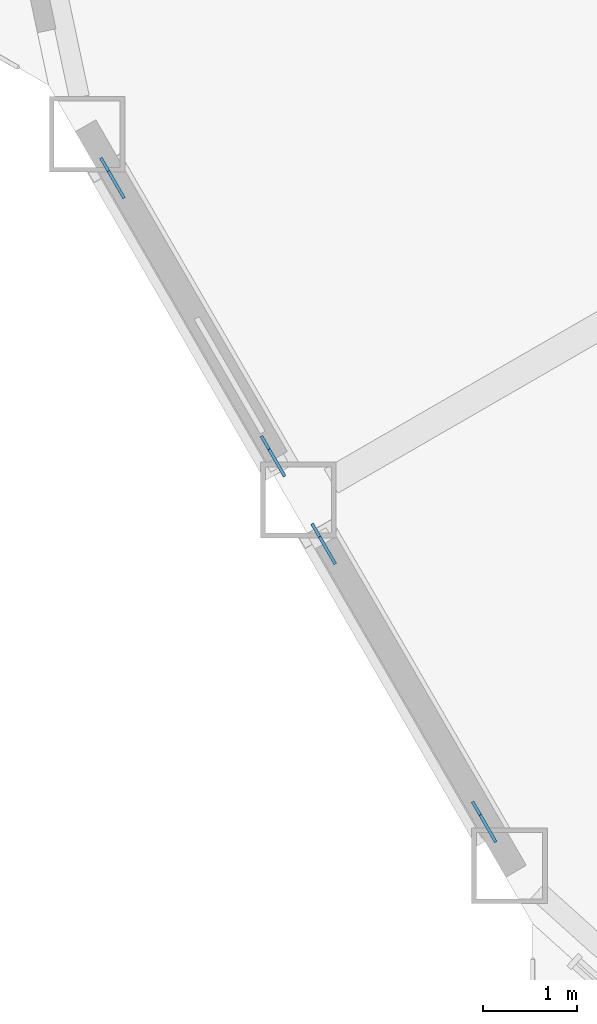
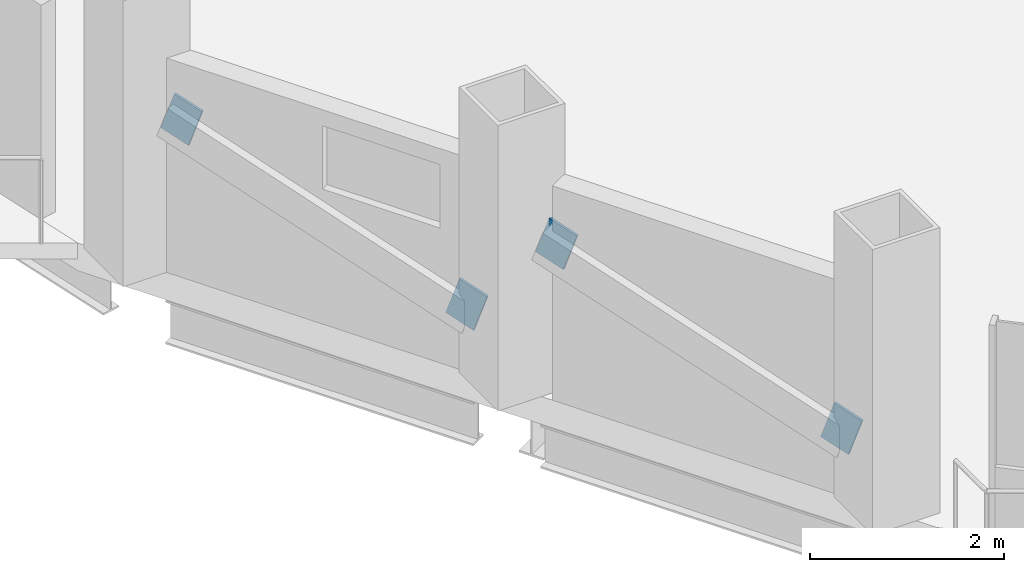
# One storey, part 16 of 23: 4 discrete accessories.
"""IFC4 building model written with IfcOpenShell, lengths in metres."""

from ifc_helpers import new_model, si_unit, direction, frame, origin, origin_2d, place, context, subcontext, project, spatial, rectangle, extrude, material, material_profile, profile_set, type_object, element, save


model = new_model("IFC4")

# Units and contexts
model_context = context("Model", 3, precision=1e-05, world=origin(), true_north=direction((0.0, 1.0)))
body_context = subcontext(model_context, "Body", "Model", "MODEL_VIEW")
ifc_project = project(units=[si_unit("LENGTHUNIT", "METRE"), si_unit("AREAUNIT", "SQUARE_METRE"), si_unit("VOLUMEUNIT", "CUBIC_METRE"), si_unit("PLANEANGLEUNIT", "RADIAN"), si_unit("MASSUNIT", "GRAM", prefix="KILO")], contexts=[model_context])

# Site, building, storey
site_placement = place(None, origin())
site = spatial("IfcSite", under=ifc_project, at=site_placement, CompositionType="ELEMENT")
building_placement = place(site_placement, origin())
building = spatial("IfcBuilding", under=site, at=building_placement, Name="Cormorant Prow Tower", CompositionType="ELEMENT")
storey_placement = place(building_placement, frame((0.0, 0.0, 176.39990234375)))
storey = spatial("IfcBuildingStorey", under=building, at=storey_placement, Name="L37", CompositionType="ELEMENT", Elevation=176.39990234375)

# Discrete accessories
ifc_material = material(Name="Structural steel ASTM A500 Gr C", Category="steel")
ifc_material_profile = material_profile(ifc_material, rectangle(XDim=0.031982421875, YDim=0.506103515625, at=origin_2d()), Name="Gusset plate 32x506")
ifc_profile_set = profile_set([ifc_material_profile], Name="Structural steel ASTM A500 Gr C")
discrete_accessory_type = type_object("IfcDiscreteAccessoryType", Name="Gusset plate 32x506", PredefinedType="BRACKET", material=ifc_profile_set)
discrete_accessory_1_placement = place(storey_placement, frame((-28.40966796875, -15.59228515625, 0.835693359375), z_axis=(0.474172452765, -0.820736730742, -0.318671780755), x_axis=(0.86587923604, 0.500253084543, 0.0)))
element("IfcDiscreteAccessory", 1, at=discrete_accessory_1_placement, inside=storey, type_object=discrete_accessory_type, Name="Gusset plate GP2 L37.WSW00.g0", PredefinedType="BRACKET", context=body_context, shape_type="SweptSolid", body=[
    extrude(rectangle(XDim=0.031982421875, YDim=0.506103515625, at=origin_2d()), origin(), (0.0, 0.0, 1.0), 0.35009765625),
])
discrete_accessory_2_placement = place(storey_placement, frame((-29.943359375, -12.935791015625, 1.865478515625), z_axis=(-0.47373689254, 0.821190460264, 0.318150254784), x_axis=(-0.866197837791, -0.499701216534, 0.0)))
element("IfcDiscreteAccessory", 2, at=discrete_accessory_2_placement, inside=storey, type_object=discrete_accessory_type, Name="Gusset plate GP2 L37.WSW00.g1", PredefinedType="BRACKET", context=body_context, shape_type="SweptSolid", body=[
    extrude(rectangle(XDim=0.031982421875, YDim=0.506103515625, at=origin_2d()), origin(), (0.0, 0.0, 1.0), 0.349853515625),
])
for number, where, z_axis, x_axis, name in (
    (3, (-26.17431640625, -19.463623046875, 0.835693359375), (0.473631655621, -0.821008039272, -0.31877712315), (0.866197837791, 0.499701216534, 0.0), "Gusset plate GP2 L37.WSW01.g0"),
    (4, (-27.7080078125, -16.807373046875, 1.865478515625), (-0.4742777402, 0.820918970906, 0.31804507284), (-0.86587923604, -0.500253084543, 0.0), "Gusset plate GP2 L37.WSW01.g1"),
):
    element("IfcDiscreteAccessory", number, at=place(storey_placement, frame(where, z_axis=z_axis, x_axis=x_axis)), inside=storey, type_object=discrete_accessory_type, Name=name, PredefinedType="BRACKET", context=body_context, shape_type="SweptSolid", body=[
        extrude(rectangle(XDim=0.031982421875, YDim=0.506103515625, at=origin_2d()), origin(), (0.0, 0.0, 1.0), 0.35009765625),
    ])

save(model, "model.ifc")
